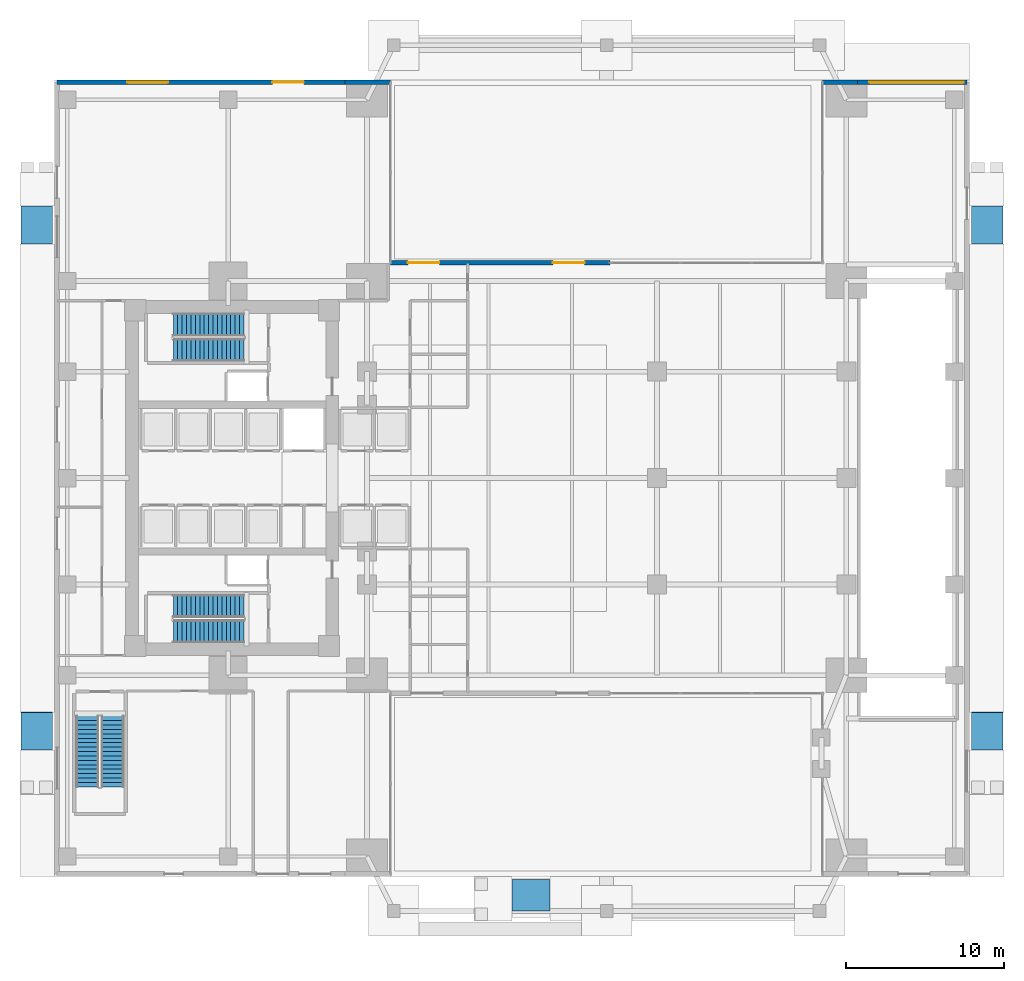
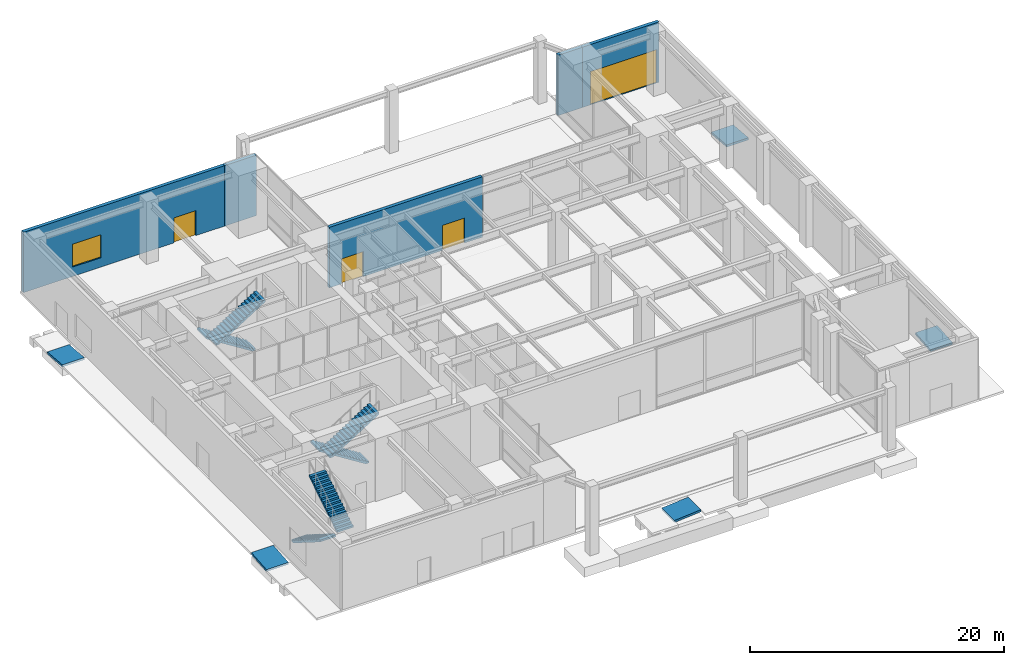
# One storey, part 12 of 17: 6 stair flights, 5 ramp flights, 5 walls, 4 doors, 1 window, 5 openings, 8 elements without a shape of their own.
"""IFC4 building model written with IfcOpenShell, lengths in metres."""

from ifc_helpers import new_model, si_unit, direction, frame, frame_2d, origin, place, context, subcontext, project, spatial, polyline, rectangle, outline, extrude, material, layer, layer_set, type_object, element, fill, aggregate, save


model = new_model("IFC4")

# Units and contexts
model_context = context("Model", 3, precision=1e-05, world=origin(), true_north=direction((0.0, 1.0)))
body_context = subcontext(model_context, "Body", "Model", "MODEL_VIEW")
ifc_project = project(units=[si_unit("LENGTHUNIT", "METRE"), si_unit("AREAUNIT", "SQUARE_METRE"), si_unit("VOLUMEUNIT", "CUBIC_METRE"), si_unit("PLANEANGLEUNIT", "RADIAN"), si_unit("MASSUNIT", "GRAM", prefix="KILO")], contexts=[model_context])

# Site, building, storey
site_placement = place(None, origin())
site = spatial("IfcSite", under=ifc_project, at=site_placement, CompositionType="ELEMENT")
building_placement = place(site_placement, origin())
building = spatial("IfcBuilding", under=site, at=building_placement, Name="Kinhvarn Gate Tower", CompositionType="ELEMENT")
storey_placement = place(building_placement, origin())
storey = spatial("IfcBuildingStorey", under=building, at=storey_placement, Name="L00", CompositionType="ELEMENT", Elevation=0.0)

# Wall, opening, door
ifc_material_1 = material(Name="Precast white architectural concrete C40/50", Category="concrete")
ifc_layer_1 = layer(ifc_material_1, 0.300048828125)
ifc_layer_set_1 = layer_set([ifc_layer_1], Name="Precast white architectural concrete C40/50")
wall_type = type_object("IfcWallType", Name="WL-EXT-300", PredefinedType="SOLIDWALL", material=ifc_layer_set_1)
wall_1_placement = place(storey_placement, frame((57.85009765625, 50.35009765625, 0.0), z_axis=(0.0, 0.0, 1.0), x_axis=(-1.0, 0.0, 0.0)))
wall_1 = element("IfcWall", 1, at=wall_1_placement, inside=storey, type_object=wall_type, Name="Exterior Solidwall Wall EW-300 (L00 North-East-Ramp)", PredefinedType="SOLIDWALL", context=body_context, shape_type="SweptSolid", body=[
    extrude(rectangle(XDim=6.9501953125, YDim=0.300048828125, at=frame_2d((3.47509765625, 0.0))), origin(), (0.0, 0.0, 1.0), 5.800048828125),
])
opening_1_placement = place(wall_1_placement, frame((0.199951171875, 0.0, 0.0)))
opening_1 = element("IfcOpeningElement", 2, at=opening_1_placement, cuts=wall_1, Name="Opening VG-01", PredefinedType="OPENING", context=body_context, shape_type="SweptSolid", body=[
    extrude(rectangle(XDim=6.0, YDim=3.199951171875, at=frame_2d((3.0, 1.60009765625))), frame((0.0, 0.16015625, 0.0), z_axis=(0.0, -1.0, 0.0), x_axis=(1.0, 0.0, 0.0)), (0.0, 0.0, 1.0), 0.320068359375),
])
ifc_material_2 = material(Name="Anodised aluminium AW-6063", Category="aluminium")
door_type_1 = type_object("IfcDoorType", Name="DR-VEH-GATE", OperationType="NOTDEFINED", PredefinedType="GATE", material=ifc_material_2)
door_1_placement = place(opening_1_placement, frame((6.0, 0.0, 0.0), z_axis=(0.0, 0.0, 1.0), x_axis=(-1.0, 0.0, 0.0)))
door_1 = element("IfcDoor", 3, at=door_1_placement, inside=storey, type_object=door_type_1, Name="Car Park Entrance Roller-Shutter Gate VG-01", OperationType="ROLLINGUP", OverallHeight=3.199951171875, OverallWidth=6.0, PredefinedType="GATE", context=body_context, shape_type="SweptSolid", body=[
    extrude(rectangle(XDim=6.0, YDim=3.199951171875, at=frame_2d((3.0, 1.60009765625))), frame((0.0, 0.02490234375, 0.0), z_axis=(0.0, -1.0, 0.0), x_axis=(1.0, 0.0, 0.0)), (0.0, 0.0, 1.0), 0.050048828125),
])
fill(opening_1, door_1)

# Wall, openings, door, window
wall_2_placement = place(storey_placement, frame((18.39990234375, 50.35009765625, 0.0), z_axis=(0.0, 0.0, 1.0), x_axis=(-1.0, 0.0, 0.0)))
wall_2 = element("IfcWall", 4, at=wall_2_placement, inside=storey, type_object=wall_type, Name="Exterior Solidwall Wall EW-300 (L00 North-West)", PredefinedType="SOLIDWALL", context=body_context, shape_type="SweptSolid", body=[
    extrude(rectangle(XDim=18.25, YDim=0.300048828125, at=frame_2d((9.125, 0.0))), origin(), (0.0, 0.0, 1.0), 5.800048828125),
])
opening_2_placement = place(wall_2_placement, frame((2.60009765625, 0.0, 0.0)))
opening_2 = element("IfcOpeningElement", 5, at=opening_2_placement, cuts=wall_2, Name="Opening ED-01", PredefinedType="OPENING", context=body_context, shape_type="SweptSolid", body=[
    extrude(rectangle(XDim=2.0, YDim=2.39990234375, at=frame_2d((1.0, 1.199951171875))), frame((0.0, 0.16015625, 0.0), z_axis=(0.0, -1.0, 0.0), x_axis=(1.0, 0.0, 0.0)), (0.0, 0.0, 1.0), 0.320068359375),
])
opening_3_placement = place(wall_2_placement, frame((11.199951171875, 0.0, 0.89990234375)))
opening_3 = element("IfcOpeningElement", 6, at=opening_3_placement, cuts=wall_2, Name="Opening WN-03", PredefinedType="OPENING", context=body_context, shape_type="SweptSolid", body=[
    extrude(rectangle(XDim=2.60009765625, YDim=2.199951171875, at=frame_2d((1.300048828125, 1.10009765625))), frame((0.0, 0.16015625, 0.0), z_axis=(0.0, -1.0, 0.0), x_axis=(1.0, 0.0, 0.0)), (0.0, 0.0, 1.0), 0.320068359375),
])
door_type_2 = type_object("IfcDoorType", Name="DR-EXT-EXIT", OperationType="NOTDEFINED", PredefinedType="DOOR", material=ifc_material_2)
door_2_placement = place(opening_2_placement, frame((2.0, 0.0, 0.0), z_axis=(0.0, 0.0, 1.0), x_axis=(-1.0, 0.0, 0.0)))
door_2 = element("IfcDoor", 7, at=door_2_placement, inside=storey, type_object=door_type_2, Name="Final Exit Door NW Arcade", OperationType="DOUBLE_DOOR_SINGLE_SWING", OverallHeight=2.39990234375, OverallWidth=2.0, PredefinedType="DOOR", context=body_context, shape_type="SweptSolid", body=[
    extrude(rectangle(XDim=2.0, YDim=2.39990234375, at=frame_2d((1.0, 1.199951171875))), frame((0.0, 0.02490234375, 0.0), z_axis=(0.0, -1.0, 0.0), x_axis=(1.0, 0.0, 0.0)), (0.0, 0.0, 1.0), 0.050048828125),
])
fill(opening_2, door_2)
ifc_material_3 = material(Name="Clear low-e double glazing", Category="glass")
window_type = type_object("IfcWindowType", Name="WIN-POD-2600", PartitioningType="SINGLE_PANEL", PredefinedType="WINDOW", material=ifc_material_3)
window_placement = place(opening_3_placement, origin())
window = element("IfcWindow", 8, at=window_placement, inside=storey, type_object=window_type, Name="Podium Gallery Punched Window 2600x2200 mm (L00)", OverallHeight=2.199951171875, OverallWidth=2.60009765625, PartitioningType="SINGLE_PANEL", PredefinedType="WINDOW", context=body_context, shape_type="SweptSolid", body=[
    extrude(rectangle(XDim=2.60009765625, YDim=2.199951171875, at=frame_2d((1.300048828125, 1.10009765625))), frame((0.0, 0.030029296875, 0.0), z_axis=(0.0, -1.0, 0.0), x_axis=(1.0, 0.0, 0.0)), (0.0, 0.0, 1.0), 0.06005859375),
])
fill(opening_3, window)

# Wall
wall_3_placement = place(storey_placement, frame((50.89990234375, 50.35009765625, 0.0), z_axis=(0.0, 0.0, 1.0), x_axis=(-1.0, 0.0, 0.0)))
element("IfcWall", 9, at=wall_3_placement, inside=storey, type_object=wall_type, Name="Exterior Solidwall Wall EW-300 (L00 Arch-NE-Return)", PredefinedType="SOLIDWALL", context=body_context, shape_type="SweptSolid", body=[
    extrude(rectangle(XDim=2.2099609375, YDim=0.300048828125, at=frame_2d((1.10498046875, 0.0))), origin(), (0.0, 0.0, 1.0), 5.800048828125),
])

# Wall, openings, doors
wall_4_placement = place(storey_placement, frame((35.199951171875, 38.89990234375, 0.0), z_axis=(0.0, 0.0, 1.0), x_axis=(-1.0, 0.0, 0.0)))
wall_4 = element("IfcWall", 10, at=wall_4_placement, inside=storey, type_object=wall_type, Name="Exterior Solidwall Wall EW-300 (L00 Arch-Concourse-North-Portal)", PredefinedType="SOLIDWALL", context=body_context, shape_type="SweptSolid", body=[
    extrude(rectangle(XDim=13.889892578125, YDim=0.300048828125, at=frame_2d((6.94482421875, 0.0))), origin(), (0.0, 0.0, 1.0), 5.800048828125),
])
opening_4_placement = place(wall_4_placement, frame((1.60009765625, 0.0, 0.0)))
opening_4 = element("IfcOpeningElement", 11, at=opening_4_placement, cuts=wall_4, Name="Opening ED-01", PredefinedType="OPENING", context=body_context, shape_type="SweptSolid", body=[
    extrude(rectangle(XDim=2.0, YDim=2.39990234375, at=frame_2d((1.0, 1.199951171875))), frame((0.0, 0.16015625, 0.0), z_axis=(0.0, -1.0, 0.0), x_axis=(1.0, 0.0, 0.0)), (0.0, 0.0, 1.0), 0.320068359375),
])
opening_5_placement = place(wall_4_placement, frame((10.800048828125, 0.0, 0.0)))
opening_5 = element("IfcOpeningElement", 12, at=opening_5_placement, cuts=wall_4, Name="Opening ED-01", PredefinedType="OPENING", context=body_context, shape_type="SweptSolid", body=[
    extrude(rectangle(XDim=2.0, YDim=2.39990234375, at=frame_2d((1.0, 1.199951171875))), frame((0.0, 0.16015625, 0.0), z_axis=(0.0, -1.0, 0.0), x_axis=(1.0, 0.0, 0.0)), (0.0, 0.0, 1.0), 0.320068359375),
])
door_3_placement = place(opening_4_placement, frame((2.0, 0.0, 0.0), z_axis=(0.0, 0.0, 1.0), x_axis=(-1.0, 0.0, 0.0)))
door_3 = element("IfcDoor", 13, at=door_3_placement, inside=storey, type_object=door_type_2, Name="Final Exit Discharge Door Concourse North-1", OperationType="DOUBLE_DOOR_SINGLE_SWING", OverallHeight=2.39990234375, OverallWidth=2.0, PredefinedType="DOOR", context=body_context, shape_type="SweptSolid", body=[
    extrude(rectangle(XDim=2.0, YDim=2.39990234375, at=frame_2d((1.0, 1.199951171875))), frame((0.0, 0.02490234375, 0.0), z_axis=(0.0, -1.0, 0.0), x_axis=(1.0, 0.0, 0.0)), (0.0, 0.0, 1.0), 0.050048828125),
])
fill(opening_4, door_3)
door_4_placement = place(opening_5_placement, frame((2.0, 0.0, 0.0), z_axis=(0.0, 0.0, 1.0), x_axis=(-1.0, 0.0, 0.0)))
door_4 = element("IfcDoor", 14, at=door_4_placement, inside=storey, type_object=door_type_2, Name="Final Exit Discharge Door Concourse North-2", OperationType="DOUBLE_DOOR_SINGLE_SWING", OverallHeight=2.39990234375, OverallWidth=2.0, PredefinedType="DOOR", context=body_context, shape_type="SweptSolid", body=[
    extrude(rectangle(XDim=2.0, YDim=2.39990234375, at=frame_2d((1.0, 1.199951171875))), frame((0.0, 0.02490234375, 0.0), z_axis=(0.0, -1.0, 0.0), x_axis=(1.0, 0.0, 0.0)), (0.0, 0.0, 1.0), 0.050048828125),
])
fill(opening_5, door_4)

# Wall
wall_5_placement = place(storey_placement, frame((21.31005859375, 50.35009765625, 0.0), z_axis=(0.0, 0.0, 1.0), x_axis=(-1.0, 0.0, 0.0)))
element("IfcWall", 15, at=wall_5_placement, inside=storey, type_object=wall_type, Name="Exterior Solidwall Wall EW-300 (L00 Arch-NW-Return)", PredefinedType="SOLIDWALL", context=body_context, shape_type="SweptSolid", body=[
    extrude(rectangle(XDim=2.91015625, YDim=0.300048828125, at=frame_2d((1.455078125, 0.0))), origin(), (0.0, 0.0, 1.0), 5.800048828125),
])

# Stair, stair flights
ifc_material_4 = material(Name="Concrete C40/50", Category="concrete")
stair_type = type_object("IfcStairType", Name="STR-DLG-176", PredefinedType="HALF_TURN_STAIR", material=ifc_material_4)
stair_1_placement = place(storey_placement, origin())
stair_1 = element("IfcStair", 16, at=stair_1_placement, inside=storey, type_object=stair_type, Name="L00 Core Smokeproof Exit Stair ST1", PredefinedType="HALF_TURN_STAIR")
stair_flight_type = type_object("IfcStairFlightType", Name="STF-DLG-176", PredefinedType="STRAIGHT", material=ifc_material_4)
stair_flight_1_placement = place(storey_placement, frame((12.0, 17.125, 0.0), z_axis=(0.0, 0.0, 1.0), x_axis=(-1.0, 0.0, 0.0)))
stair_flight_1 = element("IfcStairFlight", 17, at=stair_flight_1_placement, type_object=stair_flight_type, Name="ST1 flight 1", NumberOfRisers=17, NumberOfTreads=16, PredefinedType="STRAIGHT", RiserHeight=0.176470588, TreadLength=0.28, context=body_context, shape_type="SweptSolid", body=[
    extrude(outline(polyline([(0.0, 0.0), (0.0, 0.176513671875), (0.280029296875, 0.176513671875), (0.280029296875, 0.35302734375), (0.56005859375, 0.35302734375), (0.56005859375, 0.529296875), (0.840087890625, 0.529296875), (0.840087890625, 0.705810546875), (1.1201171875, 0.705810546875), (1.1201171875, 0.88232421875), (1.39990234375, 0.88232421875), (1.39990234375, 1.058837890625), (1.679931640625, 1.058837890625), (1.679931640625, 1.2353515625), (1.9599609375, 1.2353515625), (1.9599609375, 1.411865234375), (2.239990234375, 1.411865234375), (2.239990234375, 1.588134765625), (2.52001953125, 1.588134765625), (2.52001953125, 1.7646484375), (2.800048828125, 1.7646484375), (2.800048828125, 1.941162109375), (3.080078125, 1.941162109375), (3.080078125, 2.11767578125), (3.360107421875, 2.11767578125), (3.360107421875, 2.294189453125), (3.639892578125, 2.294189453125), (3.639892578125, 2.470703125), (3.919921875, 2.470703125), (3.919921875, 2.64697265625), (4.199951171875, 2.64697265625), (4.199951171875, 2.823486328125), (4.47998046875, 2.823486328125), (4.47998046875, 3.0), (4.47998046875, 2.646240234375), (0.28125, 0.0), (0.0, 0.0)])), frame((0.0, 0.72509765625, 0.0), z_axis=(0.0, -1.0, 0.0), x_axis=(1.0, 0.0, 0.0)), (0.0, 0.0, 1.0), 1.449951171875),
])
stair_flight_2_placement = place(storey_placement, frame((7.52001953125, 15.52490234375, 3.0), z_axis=(0.0, 0.0, 1.0), x_axis=(1.0, 0.0, 0.0)))
stair_flight_2 = element("IfcStairFlight", 18, at=stair_flight_2_placement, type_object=stair_flight_type, Name="ST1 flight 2", NumberOfRisers=17, NumberOfTreads=16, PredefinedType="STRAIGHT", RiserHeight=0.176470588, TreadLength=0.28, context=body_context, shape_type="SweptSolid", body=[
    extrude(outline(polyline([(0.0, 0.0), (0.0, 0.176513671875), (0.280029296875, 0.176513671875), (0.280029296875, 0.35302734375), (0.56005859375, 0.35302734375), (0.56005859375, 0.529296875), (0.840087890625, 0.529296875), (0.840087890625, 0.705810546875), (1.1201171875, 0.705810546875), (1.1201171875, 0.88232421875), (1.39990234375, 0.88232421875), (1.39990234375, 1.058837890625), (1.679931640625, 1.058837890625), (1.679931640625, 1.2353515625), (1.9599609375, 1.2353515625), (1.9599609375, 1.411865234375), (2.239990234375, 1.411865234375), (2.239990234375, 1.588134765625), (2.52001953125, 1.588134765625), (2.52001953125, 1.7646484375), (2.800048828125, 1.7646484375), (2.800048828125, 1.941162109375), (3.080078125, 1.941162109375), (3.080078125, 2.11767578125), (3.360107421875, 2.11767578125), (3.360107421875, 2.294189453125), (3.639892578125, 2.294189453125), (3.639892578125, 2.470703125), (3.919921875, 2.470703125), (3.919921875, 2.64697265625), (4.199951171875, 2.64697265625), (4.199951171875, 2.823486328125), (4.47998046875, 2.823486328125), (4.47998046875, 3.0), (4.47998046875, 2.646240234375), (0.28125, 0.0), (0.0, 0.0)])), frame((0.0, 0.72509765625, 0.0), z_axis=(0.0, -1.0, 0.0), x_axis=(1.0, 0.0, 0.0)), (0.0, 0.0, 1.0), 1.449951171875),
])
aggregate(stair_1, [stair_flight_1, stair_flight_2])

stair_2_placement = place(storey_placement, origin())
stair_2 = element("IfcStair", 19, at=stair_2_placement, inside=storey, type_object=stair_type, Name="L00 Core Smokeproof Exit Stair ST2", PredefinedType="HALF_TURN_STAIR")
stair_flight_3_placement = place(storey_placement, frame((12.0, 34.97509765625, 0.0), z_axis=(0.0, 0.0, 1.0), x_axis=(-1.0, 0.0, 0.0)))
stair_flight_3 = element("IfcStairFlight", 20, at=stair_flight_3_placement, type_object=stair_flight_type, Name="ST2 flight 1", NumberOfRisers=17, NumberOfTreads=16, PredefinedType="STRAIGHT", RiserHeight=0.176470588, TreadLength=0.28, context=body_context, shape_type="SweptSolid", body=[
    extrude(outline(polyline([(0.0, 0.0), (0.0, 0.176513671875), (0.280029296875, 0.176513671875), (0.280029296875, 0.35302734375), (0.56005859375, 0.35302734375), (0.56005859375, 0.529296875), (0.840087890625, 0.529296875), (0.840087890625, 0.705810546875), (1.1201171875, 0.705810546875), (1.1201171875, 0.88232421875), (1.39990234375, 0.88232421875), (1.39990234375, 1.058837890625), (1.679931640625, 1.058837890625), (1.679931640625, 1.2353515625), (1.9599609375, 1.2353515625), (1.9599609375, 1.411865234375), (2.239990234375, 1.411865234375), (2.239990234375, 1.588134765625), (2.52001953125, 1.588134765625), (2.52001953125, 1.7646484375), (2.800048828125, 1.7646484375), (2.800048828125, 1.941162109375), (3.080078125, 1.941162109375), (3.080078125, 2.11767578125), (3.360107421875, 2.11767578125), (3.360107421875, 2.294189453125), (3.639892578125, 2.294189453125), (3.639892578125, 2.470703125), (3.919921875, 2.470703125), (3.919921875, 2.64697265625), (4.199951171875, 2.64697265625), (4.199951171875, 2.823486328125), (4.47998046875, 2.823486328125), (4.47998046875, 3.0), (4.47998046875, 2.646240234375), (0.28125, 0.0), (0.0, 0.0)])), frame((0.0, 0.72509765625, 0.0), z_axis=(0.0, -1.0, 0.0), x_axis=(1.0, 0.0, 0.0)), (0.0, 0.0, 1.0), 1.449951171875),
])
stair_flight_4_placement = place(storey_placement, frame((7.52001953125, 33.375, 3.0), z_axis=(0.0, 0.0, 1.0), x_axis=(1.0, 0.0, 0.0)))
stair_flight_4 = element("IfcStairFlight", 21, at=stair_flight_4_placement, type_object=stair_flight_type, Name="ST2 flight 2", NumberOfRisers=17, NumberOfTreads=16, PredefinedType="STRAIGHT", RiserHeight=0.176470588, TreadLength=0.28, context=body_context, shape_type="SweptSolid", body=[
    extrude(outline(polyline([(0.0, 0.0), (0.0, 0.176513671875), (0.280029296875, 0.176513671875), (0.280029296875, 0.35302734375), (0.56005859375, 0.35302734375), (0.56005859375, 0.529296875), (0.840087890625, 0.529296875), (0.840087890625, 0.705810546875), (1.1201171875, 0.705810546875), (1.1201171875, 0.88232421875), (1.39990234375, 0.88232421875), (1.39990234375, 1.058837890625), (1.679931640625, 1.058837890625), (1.679931640625, 1.2353515625), (1.9599609375, 1.2353515625), (1.9599609375, 1.411865234375), (2.239990234375, 1.411865234375), (2.239990234375, 1.588134765625), (2.52001953125, 1.588134765625), (2.52001953125, 1.7646484375), (2.800048828125, 1.7646484375), (2.800048828125, 1.941162109375), (3.080078125, 1.941162109375), (3.080078125, 2.11767578125), (3.360107421875, 2.11767578125), (3.360107421875, 2.294189453125), (3.639892578125, 2.294189453125), (3.639892578125, 2.470703125), (3.919921875, 2.470703125), (3.919921875, 2.64697265625), (4.199951171875, 2.64697265625), (4.199951171875, 2.823486328125), (4.47998046875, 2.823486328125), (4.47998046875, 3.0), (4.47998046875, 2.646240234375), (0.28125, 0.0), (0.0, 0.0)])), frame((0.0, 0.72509765625, 0.0), z_axis=(0.0, -1.0, 0.0), x_axis=(1.0, 0.0, 0.0)), (0.0, 0.0, 1.0), 1.449951171875),
])
aggregate(stair_2, [stair_flight_3, stair_flight_4])

stair_3_placement = place(storey_placement, origin())
stair_3 = element("IfcStair", 22, at=stair_3_placement, inside=storey, type_object=stair_type, Name="L00 Podium & Basement Protected Exit Stair ST3", PredefinedType="HALF_TURN_STAIR")
stair_flight_5_placement = place(storey_placement, frame((2.074951171875, 10.14990234375, 0.0), z_axis=(0.0, 0.0, 1.0), x_axis=(0.0, -1.0, 0.0)))
stair_flight_5 = element("IfcStairFlight", 23, at=stair_flight_5_placement, type_object=stair_flight_type, Name="ST3 flight 1", NumberOfRisers=17, NumberOfTreads=16, PredefinedType="STRAIGHT", RiserHeight=0.176470588, TreadLength=0.28, context=body_context, shape_type="SweptSolid", body=[
    extrude(outline(polyline([(0.0, 0.0), (0.0, 0.176513671875), (0.280029296875, 0.176513671875), (0.280029296875, 0.35302734375), (0.56005859375, 0.35302734375), (0.56005859375, 0.529296875), (0.840087890625, 0.529296875), (0.840087890625, 0.705810546875), (1.1201171875, 0.705810546875), (1.1201171875, 0.88232421875), (1.39990234375, 0.88232421875), (1.39990234375, 1.058837890625), (1.679931640625, 1.058837890625), (1.679931640625, 1.2353515625), (1.9599609375, 1.2353515625), (1.9599609375, 1.411865234375), (2.239990234375, 1.411865234375), (2.239990234375, 1.588134765625), (2.52001953125, 1.588134765625), (2.52001953125, 1.7646484375), (2.800048828125, 1.7646484375), (2.800048828125, 1.941162109375), (3.080078125, 1.941162109375), (3.080078125, 2.11767578125), (3.360107421875, 2.11767578125), (3.360107421875, 2.294189453125), (3.639892578125, 2.294189453125), (3.639892578125, 2.470703125), (3.919921875, 2.470703125), (3.919921875, 2.64697265625), (4.199951171875, 2.64697265625), (4.199951171875, 2.823486328125), (4.47998046875, 2.823486328125), (4.47998046875, 3.0), (4.47998046875, 2.646240234375), (0.28125, 0.0), (0.0, 0.0)])), frame((0.0, 0.72509765625, 0.0), z_axis=(0.0, -1.0, 0.0), x_axis=(1.0, 0.0, 0.0)), (0.0, 0.0, 1.0), 1.449951171875),
])
stair_flight_6_placement = place(storey_placement, frame((3.675048828125, 5.669921875, 3.0), z_axis=(0.0, 0.0, 1.0), x_axis=(0.0, 1.0, 0.0)))
stair_flight_6 = element("IfcStairFlight", 24, at=stair_flight_6_placement, type_object=stair_flight_type, Name="ST3 flight 2", NumberOfRisers=17, NumberOfTreads=16, PredefinedType="STRAIGHT", RiserHeight=0.176470588, TreadLength=0.28, context=body_context, shape_type="SweptSolid", body=[
    extrude(outline(polyline([(0.0, 0.0), (0.0, 0.176513671875), (0.280029296875, 0.176513671875), (0.280029296875, 0.35302734375), (0.56005859375, 0.35302734375), (0.56005859375, 0.529296875), (0.840087890625, 0.529296875), (0.840087890625, 0.705810546875), (1.1201171875, 0.705810546875), (1.1201171875, 0.88232421875), (1.39990234375, 0.88232421875), (1.39990234375, 1.058837890625), (1.679931640625, 1.058837890625), (1.679931640625, 1.2353515625), (1.9599609375, 1.2353515625), (1.9599609375, 1.411865234375), (2.239990234375, 1.411865234375), (2.239990234375, 1.588134765625), (2.52001953125, 1.588134765625), (2.52001953125, 1.7646484375), (2.800048828125, 1.7646484375), (2.800048828125, 1.941162109375), (3.080078125, 1.941162109375), (3.080078125, 2.11767578125), (3.360107421875, 2.11767578125), (3.360107421875, 2.294189453125), (3.639892578125, 2.294189453125), (3.639892578125, 2.470703125), (3.919921875, 2.470703125), (3.919921875, 2.64697265625), (4.199951171875, 2.64697265625), (4.199951171875, 2.823486328125), (4.47998046875, 2.823486328125), (4.47998046875, 3.0), (4.47998046875, 2.646240234375), (0.28125, 0.0), (0.0, 0.0)])), frame((0.0, 0.72509765625, 0.0), z_axis=(0.0, -1.0, 0.0), x_axis=(1.0, 0.0, 0.0)), (0.0, 0.0, 1.0), 1.449951171875),
])
aggregate(stair_3, [stair_flight_5, stair_flight_6])

# Ramp, ramp flight
ramp_type = type_object("IfcRampType", Name="RMP-PED-1", PredefinedType="STRAIGHT_RUN_RAMP", material=ifc_material_4)
ramp_1_placement = place(storey_placement, origin())
ramp_1 = element("IfcRamp", 25, at=ramp_1_placement, inside=storey, type_object=ramp_type, Name="Accessible Entrance Ramp PR-01-WS", PredefinedType="STRAIGHT_RUN_RAMP")
ifc_layer_2 = layer(ifc_material_4, 0.199951171875)
ifc_layer_set_2 = layer_set([ifc_layer_2], Name="Concrete C40/50")
ramp_flight_type = type_object("IfcRampFlightType", Name="RMF-PED-200", PredefinedType="STRAIGHT", material=ifc_layer_set_2)
ramp_flight_1_placement = place(storey_placement, frame((-2.14990234375, 8.0, -0.199951171875), z_axis=(0.0, -0.083028700011, 0.996547156423), x_axis=(1.0, 0.0, 0.0)))
ramp_flight_1 = element("IfcRampFlight", 26, at=ramp_flight_1_placement, type_object=ramp_flight_type, Name="Accessible Entrance Ramp Flight PR-01-WS", PredefinedType="STRAIGHT", context=body_context, shape_type="SweptSolid", body=[
    extrude(outline(polyline([(0.0, 0.0), (2.0, 0.0), (2.0, 2.408203125), (0.0, 2.408203125), (0.0, 0.0)])), origin(), (0.0, 0.0, -1.0), 0.199951171875),
])
aggregate(ramp_1, [ramp_flight_1])

ramp_2_placement = place(storey_placement, origin())
ramp_2 = element("IfcRamp", 27, at=ramp_2_placement, inside=storey, type_object=ramp_type, Name="Accessible Entrance Ramp PR-01-WN", PredefinedType="STRAIGHT_RUN_RAMP")
ramp_flight_2_placement = place(storey_placement, frame((-2.14990234375, 40.10009765625, 0.0), z_axis=(0.0, 0.083028700011, 0.996547156423), x_axis=(1.0, 0.0, 0.0)))
ramp_flight_2 = element("IfcRampFlight", 28, at=ramp_flight_2_placement, type_object=ramp_flight_type, Name="Accessible Entrance Ramp Flight PR-01-WN", PredefinedType="STRAIGHT", context=body_context, shape_type="SweptSolid", body=[
    extrude(outline(polyline([(0.0, 0.0), (2.0, 0.0), (2.0, 2.408203125), (0.0, 2.408203125), (0.0, 0.0)])), origin(), (0.0, 0.0, -1.0), 0.199951171875),
])
aggregate(ramp_2, [ramp_flight_2])

ramp_3_placement = place(storey_placement, origin())
ramp_3 = element("IfcRamp", 29, at=ramp_3_placement, inside=storey, type_object=ramp_type, Name="Accessible Entrance Ramp PR-01-ES", PredefinedType="STRAIGHT_RUN_RAMP")
ramp_flight_3_placement = place(storey_placement, frame((58.14990234375, 8.0, -0.199951171875), z_axis=(0.0, -0.083028700011, 0.996547156423), x_axis=(1.0, 0.0, 0.0)))
ramp_flight_3 = element("IfcRampFlight", 30, at=ramp_flight_3_placement, type_object=ramp_flight_type, Name="Accessible Entrance Ramp Flight PR-01-ES", PredefinedType="STRAIGHT", context=body_context, shape_type="SweptSolid", body=[
    extrude(outline(polyline([(0.0, 0.0), (2.0, 0.0), (2.0, 2.408203125), (0.0, 2.408203125), (0.0, 0.0)])), origin(), (0.0, 0.0, -1.0), 0.199951171875),
])
aggregate(ramp_3, [ramp_flight_3])

ramp_4_placement = place(storey_placement, origin())
ramp_4 = element("IfcRamp", 31, at=ramp_4_placement, inside=storey, type_object=ramp_type, Name="Accessible Entrance Ramp PR-01-EN", PredefinedType="STRAIGHT_RUN_RAMP")
ramp_flight_4_placement = place(storey_placement, frame((58.14990234375, 40.10009765625, 0.0), z_axis=(0.0, 0.083028700011, 0.996547156423), x_axis=(1.0, 0.0, 0.0)))
ramp_flight_4 = element("IfcRampFlight", 32, at=ramp_flight_4_placement, type_object=ramp_flight_type, Name="Accessible Entrance Ramp Flight PR-01-EN", PredefinedType="STRAIGHT", context=body_context, shape_type="SweptSolid", body=[
    extrude(outline(polyline([(0.0, 0.0), (2.0, 0.0), (2.0, 2.408203125), (0.0, 2.408203125), (0.0, 0.0)])), origin(), (0.0, 0.0, -1.0), 0.199951171875),
])
aggregate(ramp_4, [ramp_flight_4])

ramp_5_placement = place(storey_placement, origin())
ramp_5 = element("IfcRamp", 33, at=ramp_5_placement, inside=storey, type_object=ramp_type, Name="Accessible Entrance Ramp PR-01-SC", PredefinedType="STRAIGHT_RUN_RAMP")
ramp_flight_5_placement = place(storey_placement, frame((29.0, -2.199951171875, -0.199951171875), z_axis=(-0.083028700011, 0.0, 0.996547156423), x_axis=(0.996547156423, 0.0, 0.083028700011)))
ramp_flight_5 = element("IfcRampFlight", 34, at=ramp_flight_5_placement, type_object=ramp_flight_type, Name="Accessible Entrance Ramp Flight PR-01-SC", PredefinedType="STRAIGHT", context=body_context, shape_type="SweptSolid", body=[
    extrude(outline(polyline([(0.0, 0.0), (2.408203125, 0.0), (2.408203125, 2.0), (0.0, 2.0), (0.0, 0.0)])), origin(), (0.0, 0.0, -1.0), 0.199951171875),
])
aggregate(ramp_5, [ramp_flight_5])

save(model, "model.ifc")
